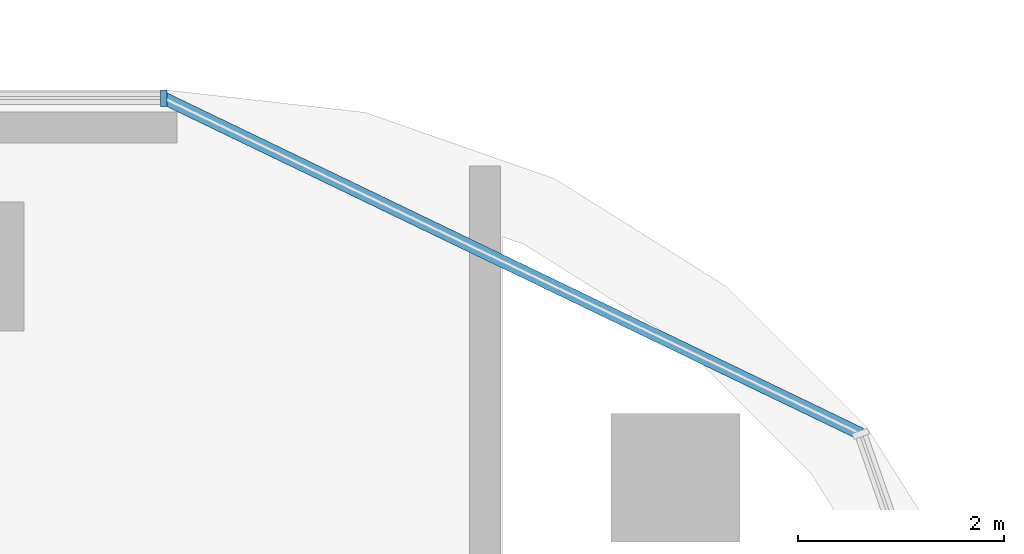
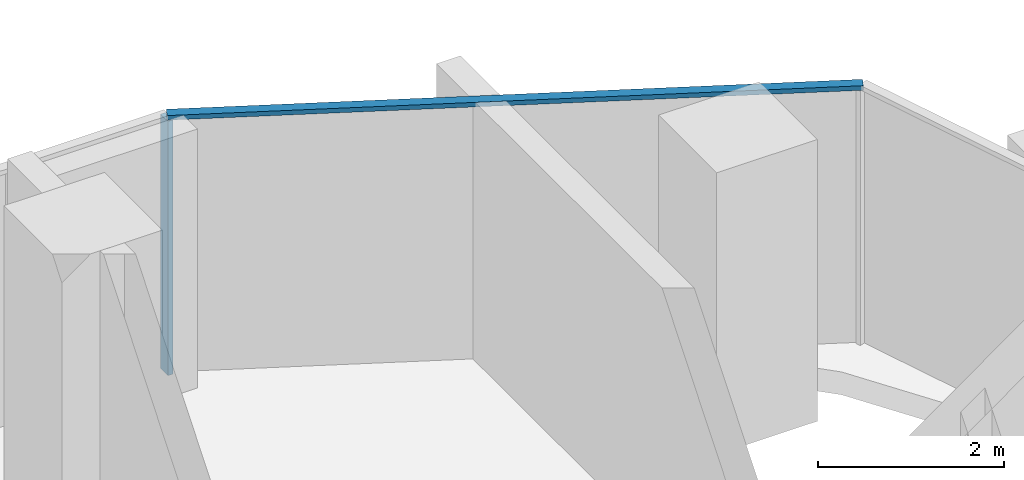
# One storey, part 5 of 23: 2 members, 2 elements without a shape of their own.
"""IFC4 building model written with IfcOpenShell, lengths in metres."""

import ifcopenshell
import ifcopenshell.guid

model = None  # the IFC model being written
_history = None  # IfcOwnerHistory: only IFC2X3 demands one
_inside = {}  # id of a spatial element -> (the spatial element, [elements in it])
_under = {}  # id of a project, library or spatial element -> (it, [spatial elements below it])
_declared = {}  # id of a project -> (the project, [libraries it declares])
_typed = {}  # id of a type object -> (the type object, [elements of that type])
_made_of = {}  # id of a material, layer set ... -> (it, [elements and type objects made of it])


def new_model(schema):
    """Start an empty IFC model of exactly this schema.

    Asked for "IFC4X3", IfcOpenShell would pick the latest addendum, in which some entities
    have other attributes; the version numbers below select the first issue.
    IFC2X3 requires an IfcOwnerHistory on every rooted entity: one is made here for all.
    """
    global model, _history
    if schema == "IFC4X3":
        model = ifcopenshell.file(schema_version=(4, 3, 0, 0))
    else:
        model = ifcopenshell.file(schema=schema)
    _inside.clear()
    _under.clear()
    _declared.clear()
    _typed.clear()
    _made_of.clear()
    _history = None
    if model.schema == "IFC2X3":
        org = make("IfcOrganization", Name="unknown")
        user = make(
            "IfcPersonAndOrganization",
            ThePerson=make("IfcPerson", FamilyName="unknown"),
            TheOrganization=org,
        )
        app = make(
            "IfcApplication",
            ApplicationDeveloper=org,
            Version="unknown",
            ApplicationFullName="unknown",
            ApplicationIdentifier="unknown",
        )
        _history = make(
            "IfcOwnerHistory",
            OwningUser=user,
            OwningApplication=app,
            ChangeAction="ADDED",
            CreationDate=0,
        )
    return model


def make(cls, **values):
    """One entity of the class cls with the attributes given. An attribute that is None is left unset."""
    return model.create_entity(
        cls, **{name: value for name, value in values.items() if value is not None}
    )


def rooted(cls, **values):
    """An entity with a GlobalId (a new one), such as an element, a storey or a relation."""
    return make(cls, GlobalId=ifcopenshell.guid.new(), OwnerHistory=_history, **values)


def si_unit(unit_type, name, prefix=None):
    """IfcSIUnit, for example si_unit("LENGTHUNIT", "METRE", prefix="MILLI")."""
    return make("IfcSIUnit", UnitType=unit_type, Prefix=prefix, Name=name)


def assignment(units):
    """IfcUnitAssignment: the units of a project."""
    return None if units is None else make("IfcUnitAssignment", Units=units)


def point(xyz):
    """IfcCartesianPoint."""
    return None if xyz is None else make("IfcCartesianPoint", Coordinates=xyz)


def direction(xyz):
    """IfcDirection."""
    return None if xyz is None else make("IfcDirection", DirectionRatios=xyz)


def frame(location, z_axis=None, x_axis=None):
    """IfcAxis2Placement3D, a coordinate frame: its origin and axes. An axis left out is left unset."""
    return make(
        "IfcAxis2Placement3D",
        Location=point(location),
        Axis=direction(z_axis),
        RefDirection=direction(x_axis),
    )


def frame_2d(location, x_axis=None):
    """IfcAxis2Placement2D, a coordinate frame in the plane: its origin and x axis."""
    return make(
        "IfcAxis2Placement2D", Location=point(location), RefDirection=direction(x_axis)
    )


def origin():
    """The frame at (0, 0, 0) with its axes left unset."""
    return frame((0.0, 0.0, 0.0))


def origin_2d():
    """The frame at (0, 0) in the plane with its x axis left unset."""
    return frame_2d((0.0, 0.0))


def place(relative_to, where):
    """IfcLocalPlacement: puts the frame where relative to a parent placement (None: the world)."""
    return make(
        "IfcLocalPlacement", PlacementRelTo=relative_to, RelativePlacement=where
    )


def context(
    kind, dimensions, precision=None, world=None, true_north=None, identifier=None
):
    """IfcGeometricRepresentationContext, for example the 3D "Model" context."""
    return make(
        "IfcGeometricRepresentationContext",
        ContextIdentifier=identifier,
        ContextType=kind,
        CoordinateSpaceDimension=dimensions,
        Precision=precision,
        WorldCoordinateSystem=world,
        TrueNorth=true_north,
    )


def subcontext(parent, identifier, kind, view, scale=None):
    """IfcGeometricRepresentationSubContext, for example "Body" below "Model"."""
    return make(
        "IfcGeometricRepresentationSubContext",
        ContextIdentifier=identifier,
        ContextType=kind,
        ParentContext=parent,
        TargetScale=scale,
        TargetView=view,
    )


def project(units=None, contexts=None):
    """IfcProject with its units and contexts."""
    return rooted(
        "IfcProject",
        Name="project",
        RepresentationContexts=contexts,
        UnitsInContext=assignment(units),
    )


def spatial(cls, under=None, at=None, **own):
    """A site, building, storey or space (cls), placed at a placement, below another one or the project."""
    s = rooted(cls, ObjectPlacement=at, **own)
    if under is not None:
        _under.setdefault(under.id(), (under, []))[1].append(s)
    return s


def profile(cls, at=None, kind="AREA", **sizes):
    """A parametric profile (cls). Its sizes go by their IFC names, for example OverallWidth=200.0."""
    return make(cls, ProfileType=kind, Position=at, **sizes)


def rectangle(**sizes):
    """IfcRectangleProfileDef."""
    return profile("IfcRectangleProfileDef", **sizes)


def extrude(swept, where, along, depth):
    """IfcExtrudedAreaSolid: the profile swept, set in the frame where, extruded along a direction by depth."""
    return make(
        "IfcExtrudedAreaSolid",
        SweptArea=swept,
        Position=where,
        ExtrudedDirection=direction(along),
        Depth=depth,
    )


def shape(context_of_items, identifier, shape_type, items):
    """IfcShapeRepresentation: the items that make up one representation, for example the "Body"."""
    return make(
        "IfcShapeRepresentation",
        ContextOfItems=context_of_items,
        RepresentationIdentifier=identifier,
        RepresentationType=shape_type,
        Items=items,
    )


def material(Name=None, Category=None):
    """IfcMaterial."""
    return make("IfcMaterial", Name=Name, Category=Category)


def material_profile(
    of_material, cross_section, Name=None, Category=None, Priority=None
):
    """IfcMaterialProfile: a cross section and its material."""
    return make(
        "IfcMaterialProfile",
        Name=Name,
        Material=of_material,
        Profile=cross_section,
        Priority=Priority,
        Category=Category,
    )


def profile_set(profiles, Name=None, composite=None):
    """IfcMaterialProfileSet."""
    return make(
        "IfcMaterialProfileSet",
        Name=Name,
        MaterialProfiles=profiles,
        CompositeProfile=composite,
    )


def made_of(thing, what):
    """Note that an element or type object is made of a material, layer set ...; save() writes the relation."""
    if what is not None:
        _made_of.setdefault(what.id(), (what, []))[1].append(thing)
    return thing


def type_object(cls, material=None, **own):
    """A type object (cls), such as IfcWallType, which elements share."""
    return made_of(rooted(cls, **own), material)


def element(
    cls,
    number,
    at=None,
    inside=None,
    cuts=None,
    type_object=None,
    material=None,
    context=None,
    identifier="Body",
    shape_type=None,
    held_by="IfcProductDefinitionShape",
    body=None,
    shapes=None,
    **own,
):
    """One element of the class cls, such as IfcWall. Its Tag is "e" and its number.

    at: its placement. inside: the storey or other place that contains it. cuts: it is an
    opening in that element (IfcRelVoidsElement). A single representation is given by context,
    identifier, shape_type and body (its items); several are given by shapes. held_by: the class
    of the entity that holds the representations. save() writes the other relations.
    """
    e = rooted(cls, Tag="e%d" % number, ObjectPlacement=at, **own)
    if body is not None:
        shapes = [shape(context, identifier, shape_type, body)]
    if shapes is not None:
        e.Representation = make(held_by, Representations=shapes)
    if inside is not None:
        _inside.setdefault(inside.id(), (inside, []))[1].append(e)
    if cuts is not None:
        rooted(
            "IfcRelVoidsElement", RelatingBuildingElement=cuts, RelatedOpeningElement=e
        )
    if type_object is not None:
        _typed.setdefault(type_object.id(), (type_object, []))[1].append(e)
    return made_of(e, material)


def aggregate(whole, parts):
    """IfcRelAggregates: a whole, such as a stair, and the parts it consists of."""
    return rooted("IfcRelAggregates", RelatingObject=whole, RelatedObjects=parts)


def save(model, path):
    """Write the relations noted so far, then the file.

    IfcRelAggregates (storeys below a building ...), IfcRelContainedInSpatialStructure (elements
    in a storey), IfcRelDefinesByType, IfcRelAssociatesMaterial and IfcRelDeclares: one each for
    every whole, place, type object, material and project.
    """
    for whole, parts in _under.values():
        aggregate(whole, parts)
    for where, things in _inside.values():
        rooted(
            "IfcRelContainedInSpatialStructure",
            RelatedElements=things,
            RelatingStructure=where,
        )
    for kind, things in _typed.values():
        rooted("IfcRelDefinesByType", RelatedObjects=things, RelatingType=kind)
    for what, things in _made_of.values():
        rooted("IfcRelAssociatesMaterial", RelatedObjects=things, RelatingMaterial=what)
    for by, libraries in _declared.values():
        rooted("IfcRelDeclares", RelatingContext=by, RelatedDefinitions=libraries)
    model.write(path)


model = new_model("IFC4")

# Units and contexts
model_context = context("Model", 3, precision=1e-05, world=origin(), true_north=direction((0.0, 1.0)))
body_context = subcontext(model_context, "Body", "Model", "MODEL_VIEW")
ifc_project = project(units=[si_unit("LENGTHUNIT", "METRE"), si_unit("AREAUNIT", "SQUARE_METRE"), si_unit("VOLUMEUNIT", "CUBIC_METRE"), si_unit("PLANEANGLEUNIT", "RADIAN"), si_unit("MASSUNIT", "GRAM", prefix="KILO")], contexts=[model_context])

# Site, building, storey
site_placement = place(None, origin())
site = spatial("IfcSite", under=ifc_project, at=site_placement, CompositionType="ELEMENT")
building_placement = place(site_placement, origin())
building = spatial("IfcBuilding", under=site, at=building_placement, Name="Ogive Portal Towers", CompositionType="ELEMENT")
storey_placement = place(building_placement, frame((0.0, 0.0, 127.800048828125)))
storey = spatial("IfcBuildingStorey", under=building, at=storey_placement, Name="L31", CompositionType="ELEMENT", Elevation=127.800048828125)

# Curtain wall, member
ifc_material_1 = material(Name="Glass, clear low-iron insulated glazing", Category="glass")
curtain_wall_type = type_object("IfcCurtainWallType", Name="CW FRONT RIBBON 4500", PredefinedType="NOTDEFINED", material=ifc_material_1)
curtain_wall_1_placement = place(storey_placement, origin())
curtain_wall_1 = element("IfcCurtainWall", 1, at=curtain_wall_1_placement, inside=storey, type_object=curtain_wall_type, Name="A:L31:f13:cw0", PredefinedType="NOTDEFINED")
ifc_material_2 = material(Name="Aluminium 6063 anodised", Category="aluminium")
ifc_material_profile_1 = material_profile(ifc_material_2, rectangle(XDim=0.159912109375, YDim=0.06005859375, at=origin_2d()), Name="AL 60x160")
ifc_profile_set_1 = profile_set([ifc_material_profile_1], Name="Aluminium 6063 anodised")
member_type_1 = type_object("IfcMemberType", Name="CW MULLION 60x160", PredefinedType="MULLION", material=ifc_profile_set_1)
member_1_placement = place(storey_placement, frame((87.481689453125, 41.135009765625, 0.0), z_axis=(0.0, 0.0, 1.0), x_axis=(0.0, -1.0, 0.0)))
member_1 = element("IfcMember", 2, at=member_1_placement, type_object=member_type_1, Name="mullion", PredefinedType="MULLION", context=body_context, shape_type="SweptSolid", body=[
    extrude(rectangle(XDim=0.159912109375, YDim=0.06005859375, at=origin_2d()), origin(), (0.0, 0.0, 1.0), 3.33984375),
])
aggregate(curtain_wall_1, [member_1])

curtain_wall_2_placement = place(storey_placement, origin())
curtain_wall_2 = element("IfcCurtainWall", 3, at=curtain_wall_2_placement, inside=storey, type_object=curtain_wall_type, Name="A:L31:f11:cwa", PredefinedType="NOTDEFINED")
ifc_material_profile_2 = material_profile(ifc_material_2, rectangle(XDim=0.1201171875, YDim=0.06005859375, at=origin_2d()), Name="AL 120x60")
ifc_profile_set_2 = profile_set([ifc_material_profile_2], Name="Aluminium 6063 anodised")
member_type_2 = type_object("IfcMemberType", Name="CW TRANSOM 60x120", PredefinedType="USERDEFINED", material=ifc_profile_set_2)
member_2_placement = place(storey_placement, frame((94.2490234375, 37.8759765625, 3.369873046875), z_axis=(-0.900965905554, 0.433889890445, 0.0), x_axis=(-0.433889890445, -0.900965905554, 0.0)))
member_2 = element("IfcMember", 4, at=member_2_placement, type_object=member_type_2, Name="transom", ObjectType="TRANSOM", PredefinedType="USERDEFINED", context=body_context, shape_type="SweptSolid", body=[
    extrude(rectangle(XDim=0.1201171875, YDim=0.06005859375, at=origin_2d()), origin(), (0.0, 0.0, 1.0), 7.51123046875),
])
aggregate(curtain_wall_2, [member_2])

save(model, "model.ifc")
